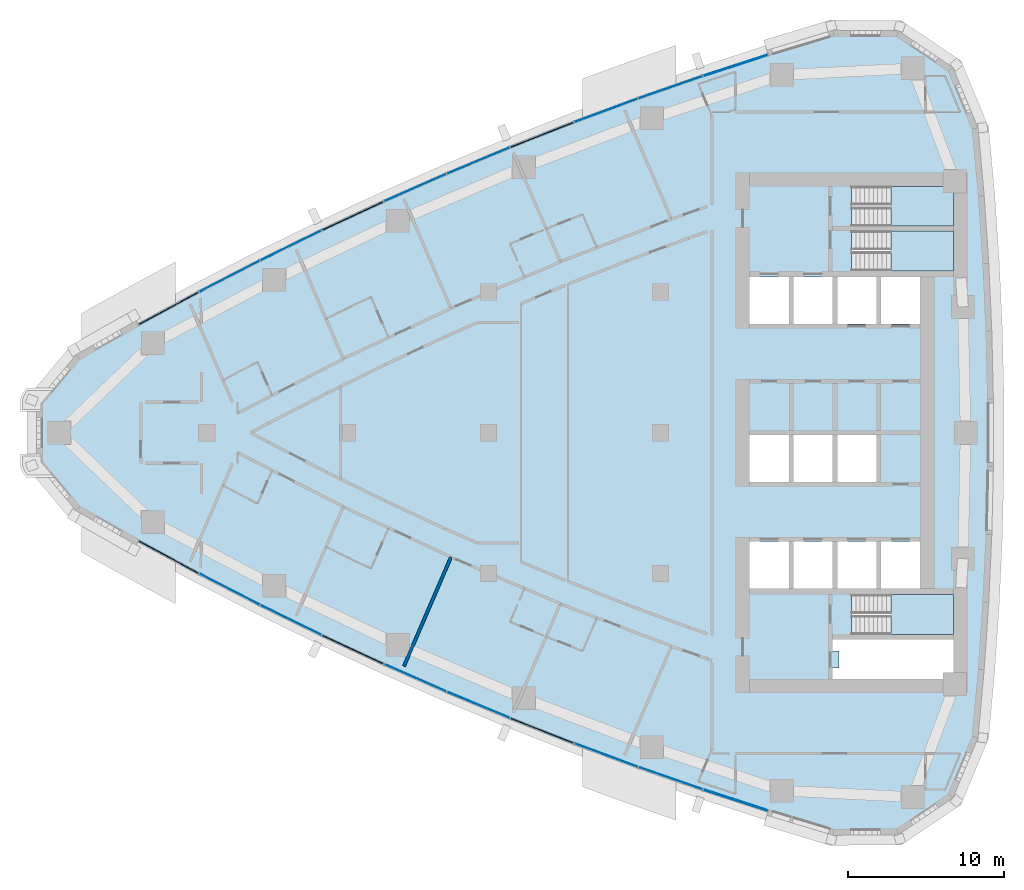
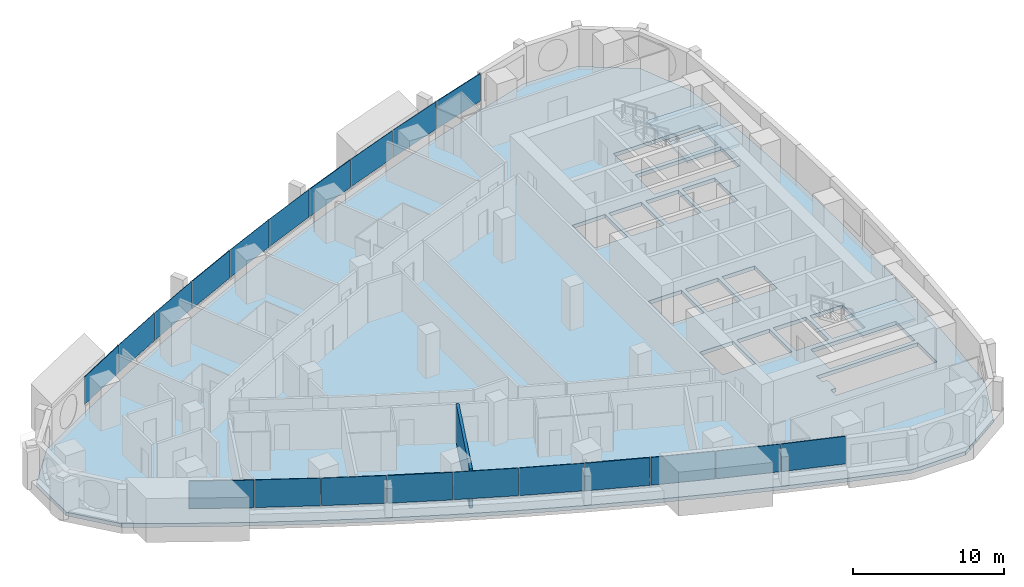
# One storey, part 7 of 17: 20 plates, 4 slabs, 1 wall, 1 opening, 13 elements without a shape of their own.
"""IFC4 building model written with IfcOpenShell, lengths in metres."""

from ifc_helpers import new_model, si_unit, direction, frame, frame_2d, origin, origin_2d, place, context, subcontext, project, spatial, polyline, rectangle, outline, extrude, material, layer, layer_set, type_object, element, aggregate, save


model = new_model("IFC4")

# Units and contexts
model_context = context("Model", 3, precision=1e-05, world=origin(), true_north=direction((0.0, 1.0)))
body_context = subcontext(model_context, "Body", "Model", "MODEL_VIEW")
ifc_project = project(units=[si_unit("LENGTHUNIT", "METRE"), si_unit("AREAUNIT", "SQUARE_METRE"), si_unit("VOLUMEUNIT", "CUBIC_METRE"), si_unit("PLANEANGLEUNIT", "RADIAN"), si_unit("MASSUNIT", "GRAM", prefix="KILO")], contexts=[model_context])

# Site, building, storey
site_placement = place(None, origin())
site = spatial("IfcSite", under=ifc_project, at=site_placement, CompositionType="ELEMENT")
building_placement = place(site_placement, origin())
building = spatial("IfcBuilding", under=site, at=building_placement, Name="Ostrand Prow Hotel Tower", CompositionType="ELEMENT")
storey_placement = place(building_placement, frame((0.0, 0.0, 162.14990234375)))
storey = spatial("IfcBuildingStorey", under=building, at=storey_placement, Name="L40", CompositionType="ELEMENT", Elevation=162.14990234375)

# Curtain wall, plate
ifc_material_1 = material(Name="Insulated glass in bronze anodised frame", Category="glass")
ifc_layer_1 = layer(ifc_material_1, 0.199951171875)
ifc_layer_set_1 = layer_set([ifc_layer_1], Name="Insulated glass in bronze anodised frame")
curtain_wall_type = type_object("IfcCurtainWallType", Name="Strip curtain wall, fritted glass over bronze spandrel", PredefinedType="NOTDEFINED", material=ifc_layer_set_1)
curtain_wall_1_placement = place(storey_placement, origin())
curtain_wall_1 = element("IfcCurtainWall", 1, at=curtain_wall_1_placement, inside=storey, type_object=curtain_wall_type, Name="CW1 run CWS1", PredefinedType="NOTDEFINED")
ifc_material_2 = material(Name="Ceramic-fritted glass", Category="glass")
ifc_layer_2 = layer(ifc_material_2, 0.031982421875)
ifc_layer_set_2 = layer_set([ifc_layer_2], Name="Ceramic-fritted glass")
plate_type_1 = type_object("IfcPlateType", Name="Dot-fritted ceramic glass unit 32 mm", PredefinedType="CURTAIN_PANEL", material=ifc_layer_set_2)
plate_1_placement = place(storey_placement, frame((17.45166015625, -9.998046875, 1.02001953125), z_axis=(0.0, 0.0, 1.0), x_axis=(0.889148164146, -0.457619429434, 0.0)))
plate_1 = element("IfcPlate", 2, at=plate_1_placement, type_object=plate_type_1, Name="CW1 PN-D panel 2.2", PredefinedType="CURTAIN_PANEL", context=body_context, shape_type="SweptSolid", body=[
    extrude(rectangle(XDim=4.326171875, YDim=0.031982421875, at=origin_2d()), origin(), (0.0, 0.0, 1.0), 2.22998046875),
])

curtain_wall_2_placement = place(storey_placement, origin())
curtain_wall_2 = element("IfcCurtainWall", 3, at=curtain_wall_2_placement, inside=storey, type_object=curtain_wall_type, Name="CW1 run CWS2", PredefinedType="NOTDEFINED")
plate_2_placement = place(storey_placement, frame((21.371337890625, -11.9658203125, 1.02001953125), z_axis=(0.0, 0.0, 1.0), x_axis=(0.898164975061, -0.439658592061, 0.0)))
plate_2 = element("IfcPlate", 4, at=plate_2_placement, type_object=plate_type_1, Name="CW1 PN-D panel 1.2", PredefinedType="CURTAIN_PANEL", context=body_context, shape_type="SweptSolid", body=[
    extrude(rectangle(XDim=4.326171875, YDim=0.031982421875, at=origin_2d()), origin(), (0.0, 0.0, 1.0), 2.22998046875),
])

# Curtain wall, plates
curtain_wall_3_placement = place(storey_placement, origin())
curtain_wall_3 = element("IfcCurtainWall", 5, at=curtain_wall_3_placement, inside=storey, type_object=curtain_wall_type, Name="CW1 run CWS3", PredefinedType="NOTDEFINED")
plate_3_placement = place(storey_placement, frame((29.3251953125, -15.6630859375, 1.02001953125), z_axis=(0.0, 0.0, 1.0), x_axis=(0.915106105993, -0.403213113347, 0.0)))
plate_3 = element("IfcPlate", 6, at=plate_3_placement, type_object=plate_type_1, Name="CW1 PN-D panel 1.2", PredefinedType="CURTAIN_PANEL", context=body_context, shape_type="SweptSolid", body=[
    extrude(rectangle(XDim=4.326171875, YDim=0.031982421875, at=origin_2d()), origin(), (0.0, 0.0, 1.0), 2.22998046875),
])
plate_4_placement = place(storey_placement, frame((33.3564453125, -17.39111328125, 1.02001953125), z_axis=(0.0, 0.0, 1.0), x_axis=(0.92302364777, -0.384743220418, 0.0)))
plate_4 = element("IfcPlate", 7, at=plate_4_placement, type_object=plate_type_1, Name="CW1 PN-D panel 2.2", PredefinedType="CURTAIN_PANEL", context=body_context, shape_type="SweptSolid", body=[
    extrude(rectangle(XDim=4.326171875, YDim=0.031982421875, at=origin_2d()), origin(), (0.0, 0.0, 1.0), 2.22998046875),
])
aggregate(curtain_wall_3, [plate_3, plate_4])

# Curtain wall, plate
curtain_wall_4_placement = place(storey_placement, origin())
curtain_wall_4 = element("IfcCurtainWall", 8, at=curtain_wall_4_placement, inside=storey, type_object=curtain_wall_type, Name="CW1 run CWS4", PredefinedType="NOTDEFINED")
plate_5_placement = place(storey_placement, frame((41.518798828125, -20.6025390625, 1.02001953125), z_axis=(0.0, 0.0, 1.0), x_axis=(0.937738678558, -0.347341576459, 0.0)))
plate_5 = element("IfcPlate", 9, at=plate_5_placement, type_object=plate_type_1, Name="CW1 PN-D panel 2.2", PredefinedType="CURTAIN_PANEL", context=body_context, shape_type="SweptSolid", body=[
    extrude(rectangle(XDim=4.326171875, YDim=0.031982421875, at=origin_2d()), origin(), (0.0, 0.0, 1.0), 2.22998046875),
])

curtain_wall_5_placement = place(storey_placement, origin())
curtain_wall_5 = element("IfcCurtainWall", 10, at=curtain_wall_5_placement, inside=storey, type_object=curtain_wall_type, Name="CW1 run CWS5", PredefinedType="NOTDEFINED")
plate_6_placement = place(storey_placement, frame((45.646484375, -22.08447265625, 1.02001953125), z_axis=(0.0, 0.0, 1.0), x_axis=(0.944528947293, -0.328428177424, 0.0)))
plate_6 = element("IfcPlate", 11, at=plate_6_placement, type_object=plate_type_1, Name="CW1 PN-D panel 1.2", PredefinedType="CURTAIN_PANEL", context=body_context, shape_type="SweptSolid", body=[
    extrude(rectangle(XDim=4.326171875, YDim=0.031982421875, at=origin_2d()), origin(), (0.0, 0.0, 1.0), 2.22998046875),
])

curtain_wall_6_placement = place(storey_placement, origin())
curtain_wall_6 = element("IfcCurtainWall", 12, at=curtain_wall_6_placement, inside=storey, type_object=curtain_wall_type, Name="CW1 run CWN1", PredefinedType="NOTDEFINED")
plate_7_placement = place(storey_placement, frame((45.646484375, 22.08447265625, 1.02001953125), z_axis=(0.0, 0.0, 1.0), x_axis=(-0.944528947293, -0.328428177424, 0.0)))
plate_7 = element("IfcPlate", 13, at=plate_7_placement, type_object=plate_type_1, Name="CW1 PN-D panel 2.2", PredefinedType="CURTAIN_PANEL", context=body_context, shape_type="SweptSolid", body=[
    extrude(rectangle(XDim=4.326171875, YDim=0.031982421875, at=origin_2d()), origin(), (0.0, 0.0, 1.0), 2.22998046875),
])

curtain_wall_7_placement = place(storey_placement, origin())
curtain_wall_7 = element("IfcCurtainWall", 14, at=curtain_wall_7_placement, inside=storey, type_object=curtain_wall_type, Name="CW1 run CWN2", PredefinedType="NOTDEFINED")
plate_8_placement = place(storey_placement, frame((41.518798828125, 20.6025390625, 1.02001953125), z_axis=(0.0, 0.0, 1.0), x_axis=(-0.937738678558, -0.347341576459, 0.0)))
plate_8 = element("IfcPlate", 15, at=plate_8_placement, type_object=plate_type_1, Name="CW1 PN-D panel 1.2", PredefinedType="CURTAIN_PANEL", context=body_context, shape_type="SweptSolid", body=[
    extrude(rectangle(XDim=4.326171875, YDim=0.031982421875, at=origin_2d()), origin(), (0.0, 0.0, 1.0), 2.22998046875),
])

# Curtain wall, plates
curtain_wall_8_placement = place(storey_placement, origin())
curtain_wall_8 = element("IfcCurtainWall", 16, at=curtain_wall_8_placement, inside=storey, type_object=curtain_wall_type, Name="CW1 run CWN3", PredefinedType="NOTDEFINED")
plate_9_placement = place(storey_placement, frame((33.3564453125, 17.39111328125, 1.02001953125), z_axis=(0.0, 0.0, 1.0), x_axis=(-0.92302364777, -0.384743220418, 0.0)))
plate_9 = element("IfcPlate", 17, at=plate_9_placement, type_object=plate_type_1, Name="CW1 PN-D panel 1.2", PredefinedType="CURTAIN_PANEL", context=body_context, shape_type="SweptSolid", body=[
    extrude(rectangle(XDim=4.326171875, YDim=0.031982421875, at=origin_2d()), origin(), (0.0, 0.0, 1.0), 2.22998046875),
])
plate_10_placement = place(storey_placement, frame((29.3251953125, 15.6630859375, 1.02001953125), z_axis=(0.0, 0.0, 1.0), x_axis=(-0.915106105993, -0.403213113347, 0.0)))
plate_10 = element("IfcPlate", 18, at=plate_10_placement, type_object=plate_type_1, Name="CW1 PN-D panel 2.2", PredefinedType="CURTAIN_PANEL", context=body_context, shape_type="SweptSolid", body=[
    extrude(rectangle(XDim=4.326171875, YDim=0.031982421875, at=origin_2d()), origin(), (0.0, 0.0, 1.0), 2.22998046875),
])
aggregate(curtain_wall_8, [plate_9, plate_10])

# Curtain wall, plate
curtain_wall_9_placement = place(storey_placement, origin())
curtain_wall_9 = element("IfcCurtainWall", 19, at=curtain_wall_9_placement, inside=storey, type_object=curtain_wall_type, Name="CW1 run CWN4", PredefinedType="NOTDEFINED")
plate_11_placement = place(storey_placement, frame((21.371337890625, 11.9658203125, 1.02001953125), z_axis=(0.0, 0.0, 1.0), x_axis=(-0.898164975061, -0.439658592061, 0.0)))
plate_11 = element("IfcPlate", 20, at=plate_11_placement, type_object=plate_type_1, Name="CW1 PN-D panel 2.2", PredefinedType="CURTAIN_PANEL", context=body_context, shape_type="SweptSolid", body=[
    extrude(rectangle(XDim=4.326171875, YDim=0.031982421875, at=origin_2d()), origin(), (0.0, 0.0, 1.0), 2.22998046875),
])

curtain_wall_10_placement = place(storey_placement, origin())
curtain_wall_10 = element("IfcCurtainWall", 21, at=curtain_wall_10_placement, inside=storey, type_object=curtain_wall_type, Name="CW1 run CWN5", PredefinedType="NOTDEFINED")
plate_12_placement = place(storey_placement, frame((17.45166015625, 9.998046875, 1.02001953125), z_axis=(0.0, 0.0, 1.0), x_axis=(-0.889148164146, -0.457619429434, 0.0)))
plate_12 = element("IfcPlate", 22, at=plate_12_placement, type_object=plate_type_1, Name="CW1 PN-D panel 1.2", PredefinedType="CURTAIN_PANEL", context=body_context, shape_type="SweptSolid", body=[
    extrude(rectangle(XDim=4.326171875, YDim=0.031982421875, at=origin_2d()), origin(), (0.0, 0.0, 1.0), 2.22998046875),
])

# Plate
ifc_material_3 = material(Name="Fritted glass in bronze vent frame", Category="glass")
ifc_layer_3 = layer(ifc_material_3, 0.06005859375)
ifc_layer_set_3 = layer_set([ifc_layer_3], Name="Fritted glass in bronze vent frame")
plate_type_2 = type_object("IfcPlateType", Name="Operable vent panel 60 mm", PredefinedType="CURTAIN_PANEL", material=ifc_layer_set_3)
plate_13_placement = place(storey_placement, frame((13.572509765625, -7.951904296875, 1.02001953125), z_axis=(0.0, 0.0, 1.0), x_axis=(0.879773060847, -0.475393901316, 0.0)))
plate_13 = element("IfcPlate", 23, at=plate_13_placement, type_object=plate_type_2, Name="CW1 PN-O panel 1.2", PredefinedType="CURTAIN_PANEL", context=body_context, shape_type="SweptSolid", body=[
    extrude(rectangle(XDim=4.326171875, YDim=0.06005859375, at=origin_2d()), origin(), (0.0, 0.0, 1.0), 2.22998046875),
])

aggregate(curtain_wall_1, [plate_13, plate_1])

plate_14_placement = place(storey_placement, frame((25.329833984375, -13.8544921875, 1.02001953125), z_axis=(0.0, 0.0, 1.0), x_axis=(0.906818286337, -0.421521761673, 0.0)))
plate_14 = element("IfcPlate", 24, at=plate_14_placement, type_object=plate_type_2, Name="CW1 PN-O panel 2.2", PredefinedType="CURTAIN_PANEL", context=body_context, shape_type="SweptSolid", body=[
    extrude(rectangle(XDim=4.326171875, YDim=0.06005859375, at=origin_2d()), origin(), (0.0, 0.0, 1.0), 2.22998046875),
])

aggregate(curtain_wall_2, [plate_2, plate_14])

plate_15_placement = place(storey_placement, frame((37.42138671875, -19.037841796875, 1.02001953125), z_axis=(0.0, 0.0, 1.0), x_axis=(0.930569089059, -0.366116334636, 0.0)))
plate_15 = element("IfcPlate", 25, at=plate_15_placement, type_object=plate_type_2, Name="CW1 PN-O panel 1.2", PredefinedType="CURTAIN_PANEL", context=body_context, shape_type="SweptSolid", body=[
    extrude(rectangle(XDim=4.326171875, YDim=0.06005859375, at=origin_2d()), origin(), (0.0, 0.0, 1.0), 2.22998046875),
])

aggregate(curtain_wall_4, [plate_15, plate_5])

plate_16_placement = place(storey_placement, frame((49.803466796875, -23.483154296875, 1.02001953125), z_axis=(0.0, 0.0, 1.0), x_axis=(0.950938332153, -0.309380491373, 0.0)))
plate_16 = element("IfcPlate", 26, at=plate_16_placement, type_object=plate_type_2, Name="CW1 PN-O panel 2.2", PredefinedType="CURTAIN_PANEL", context=body_context, shape_type="SweptSolid", body=[
    extrude(rectangle(XDim=4.326171875, YDim=0.06005859375, at=origin_2d()), origin(), (0.0, 0.0, 1.0), 2.22998046875),
])

aggregate(curtain_wall_5, [plate_6, plate_16])

plate_17_placement = place(storey_placement, frame((49.803466796875, 23.483154296875, 1.02001953125), z_axis=(0.0, 0.0, 1.0), x_axis=(-0.950938332153, -0.309380491373, 0.0)))
plate_17 = element("IfcPlate", 27, at=plate_17_placement, type_object=plate_type_2, Name="CW1 PN-O panel 1.2", PredefinedType="CURTAIN_PANEL", context=body_context, shape_type="SweptSolid", body=[
    extrude(rectangle(XDim=4.326171875, YDim=0.06005859375, at=origin_2d()), origin(), (0.0, 0.0, 1.0), 2.22998046875),
])

aggregate(curtain_wall_6, [plate_17, plate_7])

plate_18_placement = place(storey_placement, frame((37.42138671875, 19.037841796875, 1.02001953125), z_axis=(0.0, 0.0, 1.0), x_axis=(-0.930569089059, -0.366116334636, 0.0)))
plate_18 = element("IfcPlate", 28, at=plate_18_placement, type_object=plate_type_2, Name="CW1 PN-O panel 2.2", PredefinedType="CURTAIN_PANEL", context=body_context, shape_type="SweptSolid", body=[
    extrude(rectangle(XDim=4.326171875, YDim=0.06005859375, at=origin_2d()), origin(), (0.0, 0.0, 1.0), 2.22998046875),
])

aggregate(curtain_wall_7, [plate_8, plate_18])

plate_19_placement = place(storey_placement, frame((25.329833984375, 13.8544921875, 1.02001953125), z_axis=(0.0, 0.0, 1.0), x_axis=(-0.906818286337, -0.421521761673, 0.0)))
plate_19 = element("IfcPlate", 29, at=plate_19_placement, type_object=plate_type_2, Name="CW1 PN-O panel 1.2", PredefinedType="CURTAIN_PANEL", context=body_context, shape_type="SweptSolid", body=[
    extrude(rectangle(XDim=4.326171875, YDim=0.06005859375, at=origin_2d()), origin(), (0.0, 0.0, 1.0), 2.22998046875),
])

aggregate(curtain_wall_9, [plate_19, plate_11])

plate_20_placement = place(storey_placement, frame((13.572509765625, 7.951904296875, 1.02001953125), z_axis=(0.0, 0.0, 1.0), x_axis=(-0.879773060847, -0.475393901316, 0.0)))
plate_20 = element("IfcPlate", 30, at=plate_20_placement, type_object=plate_type_2, Name="CW1 PN-O panel 2.2", PredefinedType="CURTAIN_PANEL", context=body_context, shape_type="SweptSolid", body=[
    extrude(rectangle(XDim=4.326171875, YDim=0.06005859375, at=origin_2d()), origin(), (0.0, 0.0, 1.0), 2.22998046875),
])

aggregate(curtain_wall_10, [plate_12, plate_20])

# Slab, opening
ifc_material_4 = material(Name="Concrete C40/50", Category="concrete")
ifc_layer_4 = layer(ifc_material_4, 0.300048828125)
ifc_layer_set_4 = layer_set([ifc_layer_4], Name="Concrete C40/50")
slab_type_1 = type_object("IfcSlabType", Name="PT flat plate 300 C40/50", PredefinedType="FLOOR", material=ifc_layer_set_4)
slab_1_placement = place(storey_placement, frame((0.0, 0.0, -0.2998046875)))
slab_1 = element("IfcSlab", 31, at=slab_1_placement, inside=storey, type_object=slab_type_1, Name="Floor slab L40-1", PredefinedType="FLOOR", context=body_context, shape_type="SweptSolid", body=[
    extrude(outline(polyline([(7.658203125, 4.952880859375), (11.51611328125, 7.138916015625), (15.37939453125, 9.2265625), (19.283935546875, 11.236083984375), (23.228271484375, 13.166748046875), (27.210205078125, 15.017822265625), (31.22900390625, 16.788330078125), (35.2822265625, 18.47802734375), (39.36865234375, 20.085693359375), (43.486572265625, 21.611083984375), (47.63427734375, 23.05322265625), (51.810302734375, 24.411865234375), (56.046630859375, 25.696533203125), (60.193115234375, 25.6640625), (63.664306640625, 23.328125), (65.256103515625, 19.498779296875), (65.650390625, 15.148681640625), (65.944091796875, 10.825927734375), (66.139892578125, 6.497802734375), (66.23779296875, 2.166259765625), (66.23779296875, -2.166259765625), (66.139892578125, -6.497802734375), (65.944091796875, -10.825927734375), (65.650390625, -15.148681640625), (65.256103515625, -19.498779296875), (63.664306640625, -23.328125), (60.193115234375, -25.6640625), (56.046630859375, -25.696533203125), (51.810302734375, -24.411865234375), (47.63427734375, -23.05322265625), (43.486572265625, -21.611083984375), (39.36865234375, -20.085693359375), (35.2822265625, -18.47802734375), (31.22900390625, -16.788330078125), (27.210205078125, -15.017822265625), (23.228271484375, -13.166748046875), (19.283935546875, -11.236083984375), (15.37939453125, -9.2265625), (11.51611328125, -7.138916015625), (7.658203125, -4.952880859375), (5.16064453125, -1.968505859375), (5.16064453125, 1.968505859375), (7.658203125, 4.952880859375)]), holes=[polyline([(50.699951171875, 6.949951171875), (53.199951171875, 6.949951171875), (53.199951171875, 9.949951171875), (50.699951171875, 9.949951171875), (50.699951171875, 6.949951171875)]), polyline([(53.5, 6.949951171875), (56.0, 6.949951171875), (56.0, 9.949951171875), (53.5, 9.949951171875), (53.5, 6.949951171875)]), polyline([(56.300048828125, 6.949951171875), (58.800048828125, 6.949951171875), (58.800048828125, 9.949951171875), (56.300048828125, 9.949951171875), (56.300048828125, 6.949951171875)]), polyline([(59.10009765625, 6.949951171875), (61.60009765625, 6.949951171875), (61.60009765625, 9.949951171875), (59.10009765625, 9.949951171875), (59.10009765625, 6.949951171875)]), polyline([(50.699951171875, -3.14990234375), (53.199951171875, -3.14990234375), (53.199951171875, -0.14990234375), (50.699951171875, -0.14990234375), (50.699951171875, -3.14990234375)]), polyline([(53.5, -3.14990234375), (56.0, -3.14990234375), (56.0, -0.14990234375), (53.5, -0.14990234375), (53.5, -3.14990234375)]), polyline([(56.300048828125, -3.14990234375), (58.800048828125, -3.14990234375), (58.800048828125, -0.14990234375), (56.300048828125, -0.14990234375), (56.300048828125, -3.14990234375)]), polyline([(50.699951171875, -9.949951171875), (53.199951171875, -9.949951171875), (53.199951171875, -6.949951171875), (50.699951171875, -6.949951171875), (50.699951171875, -9.949951171875)]), polyline([(53.5, -9.949951171875), (56.0, -9.949951171875), (56.0, -6.949951171875), (53.5, -6.949951171875), (53.5, -9.949951171875)]), polyline([(56.300048828125, -9.949951171875), (58.800048828125, -9.949951171875), (58.800048828125, -6.949951171875), (56.300048828125, -6.949951171875), (56.300048828125, -9.949951171875)]), polyline([(59.10009765625, -9.949951171875), (61.60009765625, -9.949951171875), (61.60009765625, -6.949951171875), (59.10009765625, -6.949951171875), (59.10009765625, -9.949951171875)]), polyline([(57.200927734375, 10.35107421875), (57.200927734375, 12.89892578125), (63.718994140625, 12.89892578125), (63.718994140625, 10.35107421875), (57.200927734375, 10.35107421875)]), polyline([(57.200927734375, 13.200927734375), (57.200927734375, 15.7490234375), (63.718994140625, 15.7490234375), (63.718994140625, 13.200927734375), (57.200927734375, 13.200927734375)]), polyline([(57.200927734375, -12.89892578125), (57.200927734375, -10.35107421875), (63.718994140625, -10.35107421875), (63.718994140625, -12.89892578125), (57.200927734375, -12.89892578125)]), polyline([(56.0, -13.199951171875), (63.719970703125, -13.199951171875), (63.719970703125, -15.75), (56.0, -15.75), (56.0, -15.050048828125), (56.39990234375, -15.050048828125), (56.39990234375, -13.949951171875), (56.0, -13.949951171875), (56.0, -13.199951171875)])]), origin(), (0.0, 0.0, 1.0), 0.2998046875),
])
opening_placement = place(slab_1_placement, origin())
element("IfcOpeningElement", 32, at=opening_placement, cuts=slab_1, Name="Shaft opening 1", PredefinedType="OPENING", context=body_context, shape_type="SweptSolid", body=[
    extrude(outline(polyline([(56.0, -13.199951171875), (63.719970703125, -13.199951171875), (63.719970703125, -15.75), (56.0, -15.75), (56.0, -15.050048828125), (56.39990234375, -15.050048828125), (56.39990234375, -13.949951171875), (56.0, -13.949951171875), (56.0, -13.199951171875)])), origin(), (0.0, 0.0, 1.0), 0.2998046875),
])

# Stair, slab
ifc_material_5 = material(Name="Concrete C40/50", Category="concrete")
stair_type = type_object("IfcStairType", Name="Exit stair 1200 upper zone", PredefinedType="HALF_TURN_STAIR", material=ifc_material_5)
stair_1_placement = place(storey_placement, origin())
stair_1 = element("IfcStair", 33, at=stair_1_placement, inside=storey, type_object=stair_type, Name="L40 ST1C", PredefinedType="HALF_TURN_STAIR")
ifc_material_6 = material(Name="Concrete C40/50", Category="concrete")
ifc_layer_5 = layer(ifc_material_6, 0.199951171875)
ifc_layer_set_5 = layer_set([ifc_layer_5], Name="Concrete C40/50")
slab_type_2 = type_object("IfcSlabType", Name="Stair landing 200 concrete", PredefinedType="LANDING", material=ifc_layer_set_5)
slab_2_placement = place(storey_placement, frame((0.0, 0.0, 1.5751953125)))
slab_2 = element("IfcSlab", 34, at=slab_2_placement, type_object=slab_type_2, Name="ST1C landing 1", PredefinedType="LANDING", context=body_context, shape_type="SweptSolid", body=[
    extrude(outline(polyline([(59.719970703125, 10.35009765625), (63.719970703125, 10.35009765625), (63.719970703125, 12.89990234375), (59.719970703125, 12.89990234375), (59.719970703125, 10.35009765625)])), origin(), (0.0, 0.0, 1.0), 0.199951171875),
])
aggregate(stair_1, [slab_2])

stair_2_placement = place(storey_placement, origin())
stair_2 = element("IfcStair", 35, at=stair_2_placement, inside=storey, type_object=stair_type, Name="L40 ST3C", PredefinedType="HALF_TURN_STAIR")
slab_3_placement = place(storey_placement, frame((0.0, 0.0, 1.5751953125)))
slab_3 = element("IfcSlab", 36, at=slab_3_placement, type_object=slab_type_2, Name="ST3C landing 1", PredefinedType="LANDING", context=body_context, shape_type="SweptSolid", body=[
    extrude(outline(polyline([(59.719970703125, 13.199951171875), (63.719970703125, 13.199951171875), (63.719970703125, 15.75), (59.719970703125, 15.75), (59.719970703125, 13.199951171875)])), origin(), (0.0, 0.0, 1.0), 0.199951171875),
])
aggregate(stair_2, [slab_3])

stair_3_placement = place(storey_placement, origin())
stair_3 = element("IfcStair", 37, at=stair_3_placement, inside=storey, type_object=stair_type, Name="L40 ST2C", PredefinedType="HALF_TURN_STAIR")
slab_4_placement = place(storey_placement, frame((0.0, 0.0, 1.5751953125)))
slab_4 = element("IfcSlab", 38, at=slab_4_placement, type_object=slab_type_2, Name="ST2C landing 1", PredefinedType="LANDING", context=body_context, shape_type="SweptSolid", body=[
    extrude(outline(polyline([(59.719970703125, -12.89990234375), (63.719970703125, -12.89990234375), (63.719970703125, -10.35009765625), (59.719970703125, -10.35009765625), (59.719970703125, -12.89990234375)])), origin(), (0.0, 0.0, 1.0), 0.199951171875),
])
aggregate(stair_3, [slab_4])

# Wall
ifc_material_7 = material(Name="Plasterboard partition")
ifc_layer_6 = layer(ifc_material_7, 0.199951171875)
ifc_layer_set_6 = layer_set([ifc_layer_6], Name="Plasterboard partition")
wall_type = type_object("IfcWallType", Name="Partition 200 key partition", PredefinedType="PARTITIONING", material=ifc_layer_set_6)
wall_placement = place(storey_placement, frame((28.6025390625, -14.9208984375, 0.0), z_axis=(0.0, 0.0, 1.0), x_axis=(0.395976934703, 0.91826045716, 0.0)))
element("IfcWall", 39, at=wall_placement, inside=storey, type_object=wall_type, Name="KEY PARTITION", PredefinedType="PARTITIONING", context=body_context, shape_type="SweptSolid", body=[
    extrude(rectangle(XDim=7.600341796875, YDim=0.199951171875, at=frame_2d((3.80029296875, 0.0))), origin(), (0.0, 0.0, 1.0), 3.150146484375),
])

save(model, "model.ifc")
